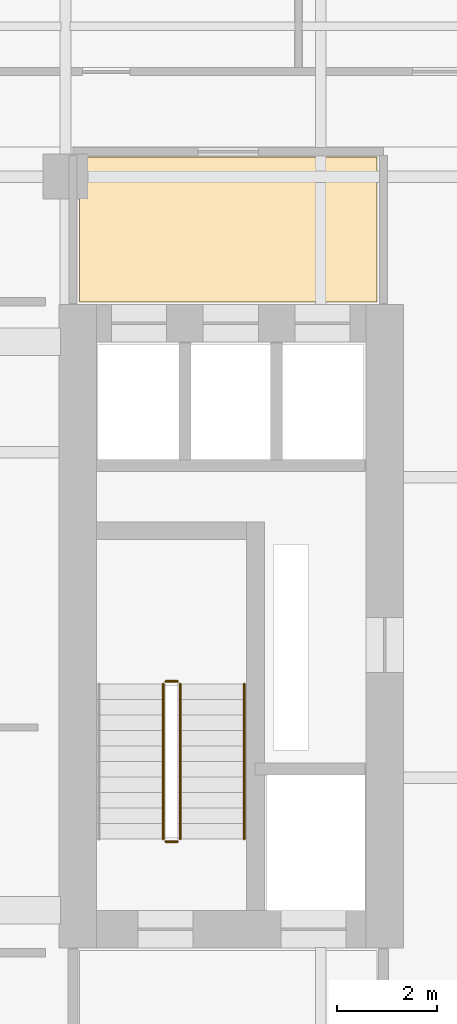
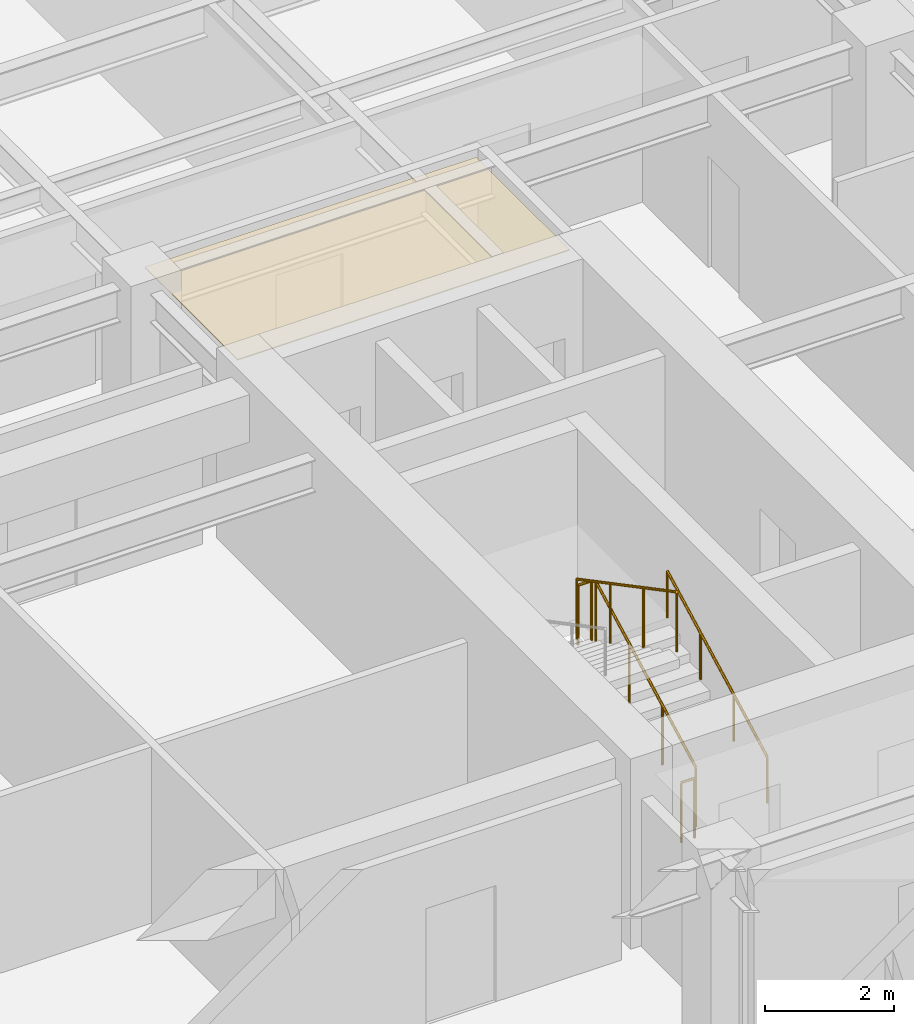
# One storey, part 19 of 20: 5 railings, 1 covering.
"""IFC4 building model written with IfcOpenShell, lengths in metres."""

from ifc_helpers import new_model, si_unit, direction, frame, origin, origin_2d, place, context, subcontext, project, spatial, polyline, circle, outline, extrude, material, layer, layer_set, type_object, element, save


model = new_model("IFC4")

# Units and contexts
model_context = context("Model", 3, precision=1e-05, world=origin(), true_north=direction((0.0, 1.0)))
body_context = subcontext(model_context, "Body", "Model", "MODEL_VIEW")
ifc_project = project(units=[si_unit("LENGTHUNIT", "METRE"), si_unit("AREAUNIT", "SQUARE_METRE"), si_unit("VOLUMEUNIT", "CUBIC_METRE"), si_unit("PLANEANGLEUNIT", "RADIAN"), si_unit("MASSUNIT", "GRAM", prefix="KILO")], contexts=[model_context])

# Site, building, storey
site_placement = place(None, origin())
site = spatial("IfcSite", under=ifc_project, at=site_placement, CompositionType="ELEMENT")
building_placement = place(site_placement, origin())
building = spatial("IfcBuilding", under=site, at=building_placement, Name="Khoralis Quay Care Tower", CompositionType="ELEMENT")
storey_placement = place(building_placement, frame((0.0, 0.0, 116.10009765625)))
storey = spatial("IfcBuildingStorey", under=building, at=storey_placement, Name="L30", CompositionType="ELEMENT", Elevation=116.10009765625)

# Covering
ifc_material_1 = material(Name="Mineral-fibre acoustic ceiling tile")
ifc_layer = layer(ifc_material_1, 0.01806640625)
ifc_layer_set = layer_set([ifc_layer], Name="Mineral-fibre acoustic ceiling tile")
covering_type = type_object("IfcCoveringType", Name="COV-CEIL-AC18", PredefinedType="CEILING", material=ifc_layer_set)
covering_placement = place(storey_placement, frame((0.0, 0.0, 3.19189453125)))
element("IfcCovering", 1, at=covering_placement, inside=storey, type_object=covering_type, Name="Suspended Acoustic Ceiling SP-L30-LLOB-E", PredefinedType="CEILING", context=body_context, shape_type="SweptSolid", body=[
    extrude(outline(polyline([(31.179931640625, 27.5), (37.1201171875, 27.5), (37.1201171875, 30.389892578125), (31.179931640625, 30.389892578125), (31.179931640625, 27.5)])), origin(), (0.0, 0.0, 1.0), 0.01806640625),
])

# Railings
ifc_material_2 = material(Name="Brushed stainless steel", Category="steel")
railing_type_1 = type_object("IfcRailingType", Name="RL-GUARD-1150", PredefinedType="GUARDRAIL", material=ifc_material_2)
railing_1_placement = place(storey_placement, frame((33.18994140625, 16.77001953125, 0.16357421875)))
element("IfcRailing", 2, at=railing_1_placement, inside=storey, type_object=railing_type_1, Name="L30 ST-T2 stair guard 1", PredefinedType="GUARDRAIL", context=body_context, shape_type="SweptSolid", body=[
    extrude(circle(Radius=0.02392578125, at=origin_2d()), frame((0.0, 0.0, 1.1259765625), z_axis=(0.0, 0.884376766648, 0.46677375099), x_axis=(-1.0, 0.0, 0.0)), (0.0, 0.0, 1.0), 3.50537109375),
    extrude(circle(Radius=0.02099609375, at=origin_2d()), origin(), (0.0, 0.0, 1.0), 1.101806640625),
    extrude(circle(Radius=0.02099609375, at=origin_2d()), frame((0.0, 1.033447265625, 0.54541015625)), (0.0, 0.0, 1.0), 1.101806640625),
    extrude(circle(Radius=0.02099609375, at=origin_2d()), frame((0.0, 2.066650390625, 1.0908203125)), (0.0, 0.0, 1.0), 1.101806640625),
    extrude(circle(Radius=0.02099609375, at=origin_2d()), frame((0.0, 3.10009765625, 1.63623046875)), (0.0, 0.0, 1.0), 1.101806640625),
])
railing_2_placement = place(storey_placement, frame((33.139892578125, 19.919921875, 1.7998046875)))
element("IfcRailing", 3, at=railing_2_placement, inside=storey, type_object=railing_type_1, Name="L30 ST-T2 stair guard 2", PredefinedType="GUARDRAIL", context=body_context, shape_type="SweptSolid", body=[
    extrude(circle(Radius=0.02392578125, at=origin_2d()), frame((0.0, 0.0, 1.1259765625), z_axis=(-1.0, 0.0, 0.0), x_axis=(0.0, -1.0, 0.0)), (0.0, 0.0, 1.0), 0.239990234375),
    extrude(circle(Radius=0.02099609375, at=origin_2d()), origin(), (0.0, 0.0, 1.0), 1.101806640625),
    extrude(circle(Radius=0.02099609375, at=origin_2d()), frame((-0.239990234375, 0.0, 0.0)), (0.0, 0.0, 1.0), 1.101806640625),
])
railing_3_placement = place(storey_placement, frame((32.85009765625, 19.8701171875, 1.963623046875)))
element("IfcRailing", 4, at=railing_3_placement, inside=storey, type_object=railing_type_1, Name="L30 ST-T2 stair guard 3", PredefinedType="GUARDRAIL", context=body_context, shape_type="SweptSolid", body=[
    extrude(circle(Radius=0.02392578125, at=origin_2d()), frame((0.0, 0.0, 1.1259765625), z_axis=(0.0, -0.884376766648, 0.46677375099), x_axis=(1.0, 0.0, 0.0)), (0.0, 0.0, 1.0), 3.50537109375),
    extrude(circle(Radius=0.02099609375, at=origin_2d()), origin(), (0.0, 0.0, 1.0), 1.101806640625),
    extrude(circle(Radius=0.02099609375, at=origin_2d()), frame((0.0, -1.033447265625, 0.54541015625)), (0.0, 0.0, 1.0), 1.101806640625),
    extrude(circle(Radius=0.02099609375, at=origin_2d()), frame((0.0, -2.066650390625, 1.0908203125)), (0.0, 0.0, 1.0), 1.101806640625),
    extrude(circle(Radius=0.02099609375, at=origin_2d()), frame((0.0, -3.10009765625, 1.63623046875)), (0.0, 0.0, 1.0), 1.101806640625),
])
railing_4_placement = place(storey_placement, frame((33.139892578125, 16.719970703125, 0.0)))
element("IfcRailing", 5, at=railing_4_placement, inside=storey, type_object=railing_type_1, Name="L30 ST-T2 stair guard 4", PredefinedType="GUARDRAIL", context=body_context, shape_type="SweptSolid", body=[
    extrude(circle(Radius=0.02392578125, at=origin_2d()), frame((0.0, 0.0, 1.1259765625), z_axis=(-1.0, 0.0, 0.0), x_axis=(0.0, -1.0, 0.0)), (0.0, 0.0, 1.0), 0.239990234375),
    extrude(circle(Radius=0.02099609375, at=origin_2d()), origin(), (0.0, 0.0, 1.0), 1.101806640625),
    extrude(circle(Radius=0.02099609375, at=origin_2d()), frame((-0.239990234375, 0.0, 0.0)), (0.0, 0.0, 1.0), 1.101806640625),
])
railing_type_2 = type_object("IfcRailingType", Name="RL-HAND-900", PredefinedType="HANDRAIL", material=ifc_material_2)
railing_5_placement = place(storey_placement, frame((34.469970703125, 16.77001953125, 0.16357421875)))
element("IfcRailing", 6, at=railing_5_placement, inside=storey, type_object=railing_type_2, Name="L30 ST-T2 stair handrail 1", PredefinedType="HANDRAIL", context=body_context, shape_type="SweptSolid", body=[
    extrude(circle(Radius=0.02392578125, at=origin_2d()), frame((0.0, 0.0, 0.8759765625), z_axis=(0.0, 0.884376766648, 0.46677375099), x_axis=(-1.0, 0.0, 0.0)), (0.0, 0.0, 1.0), 3.50537109375),
    extrude(circle(Radius=0.02099609375, at=origin_2d()), origin(), (0.0, 0.0, 1.0), 0.851806640625),
    extrude(circle(Radius=0.02099609375, at=origin_2d()), frame((0.0, 1.033447265625, 0.54541015625)), (0.0, 0.0, 1.0), 0.851806640625),
    extrude(circle(Radius=0.02099609375, at=origin_2d()), frame((0.0, 2.066650390625, 1.0908203125)), (0.0, 0.0, 1.0), 0.851806640625),
    extrude(circle(Radius=0.02099609375, at=origin_2d()), frame((0.0, 3.10009765625, 1.63623046875)), (0.0, 0.0, 1.0), 0.851806640625),
])

save(model, "model.ifc")
